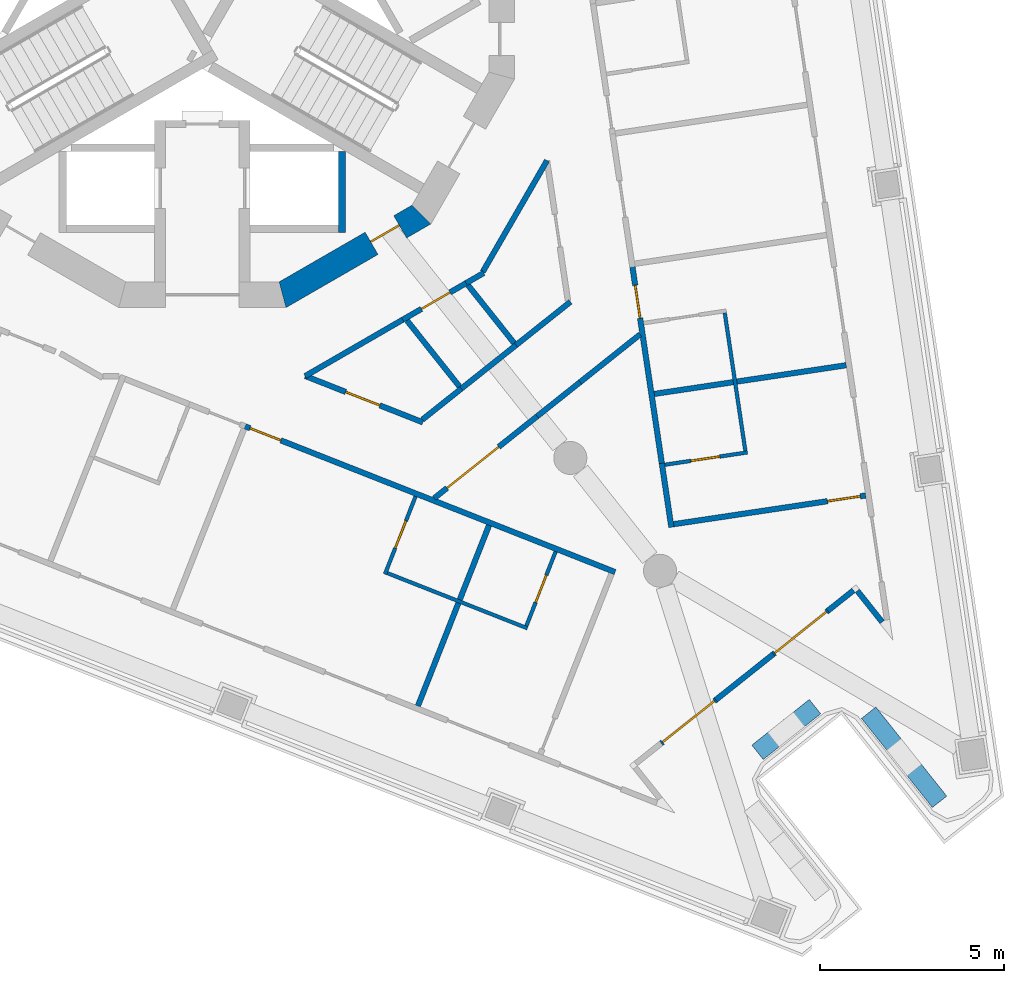
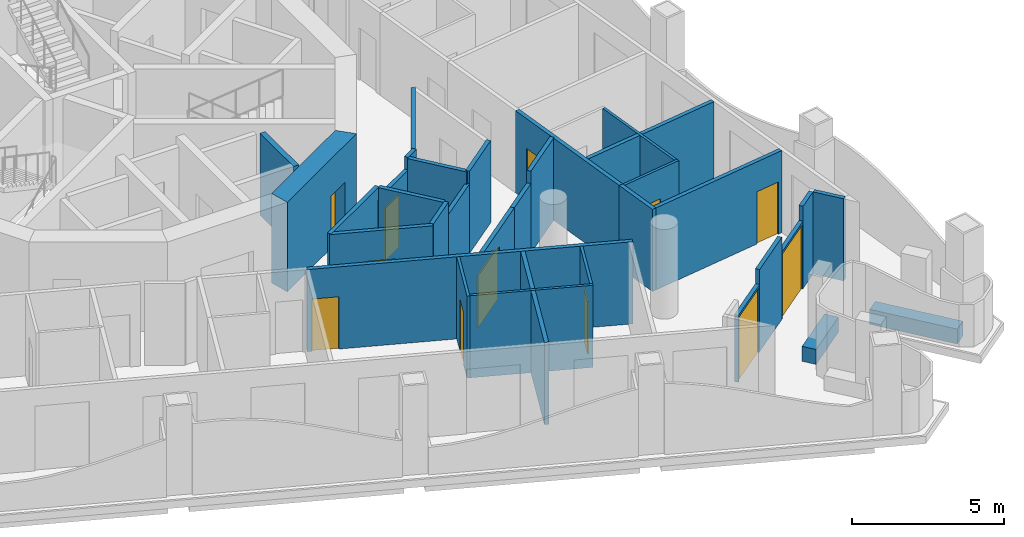
# One storey, part 5 of 17: 34 walls, 12 doors, 12 openings.
"""IFC4 building model written with IfcOpenShell, lengths in metres."""

import ifcopenshell
import ifcopenshell.guid

model = None  # the IFC model being written
_history = None  # IfcOwnerHistory: only IFC2X3 demands one
_inside = {}  # id of a spatial element -> (the spatial element, [elements in it])
_under = {}  # id of a project, library or spatial element -> (it, [spatial elements below it])
_declared = {}  # id of a project -> (the project, [libraries it declares])
_typed = {}  # id of a type object -> (the type object, [elements of that type])
_made_of = {}  # id of a material, layer set ... -> (it, [elements and type objects made of it])


def new_model(schema):
    """Start an empty IFC model of exactly this schema.

    Asked for "IFC4X3", IfcOpenShell would pick the latest addendum, in which some entities
    have other attributes; the version numbers below select the first issue.
    IFC2X3 requires an IfcOwnerHistory on every rooted entity: one is made here for all.
    """
    global model, _history
    if schema == "IFC4X3":
        model = ifcopenshell.file(schema_version=(4, 3, 0, 0))
    else:
        model = ifcopenshell.file(schema=schema)
    _inside.clear()
    _under.clear()
    _declared.clear()
    _typed.clear()
    _made_of.clear()
    _history = None
    if model.schema == "IFC2X3":
        org = make("IfcOrganization", Name="unknown")
        user = make(
            "IfcPersonAndOrganization",
            ThePerson=make("IfcPerson", FamilyName="unknown"),
            TheOrganization=org,
        )
        app = make(
            "IfcApplication",
            ApplicationDeveloper=org,
            Version="unknown",
            ApplicationFullName="unknown",
            ApplicationIdentifier="unknown",
        )
        _history = make(
            "IfcOwnerHistory",
            OwningUser=user,
            OwningApplication=app,
            ChangeAction="ADDED",
            CreationDate=0,
        )
    return model


def make(cls, **values):
    """One entity of the class cls with the attributes given. An attribute that is None is left unset."""
    return model.create_entity(
        cls, **{name: value for name, value in values.items() if value is not None}
    )


def rooted(cls, **values):
    """An entity with a GlobalId (a new one), such as an element, a storey or a relation."""
    return make(cls, GlobalId=ifcopenshell.guid.new(), OwnerHistory=_history, **values)


def si_unit(unit_type, name, prefix=None):
    """IfcSIUnit, for example si_unit("LENGTHUNIT", "METRE", prefix="MILLI")."""
    return make("IfcSIUnit", UnitType=unit_type, Prefix=prefix, Name=name)


def assignment(units):
    """IfcUnitAssignment: the units of a project."""
    return None if units is None else make("IfcUnitAssignment", Units=units)


def point(xyz):
    """IfcCartesianPoint."""
    return None if xyz is None else make("IfcCartesianPoint", Coordinates=xyz)


def direction(xyz):
    """IfcDirection."""
    return None if xyz is None else make("IfcDirection", DirectionRatios=xyz)


def frame(location, z_axis=None, x_axis=None):
    """IfcAxis2Placement3D, a coordinate frame: its origin and axes. An axis left out is left unset."""
    return make(
        "IfcAxis2Placement3D",
        Location=point(location),
        Axis=direction(z_axis),
        RefDirection=direction(x_axis),
    )


def frame_2d(location, x_axis=None):
    """IfcAxis2Placement2D, a coordinate frame in the plane: its origin and x axis."""
    return make(
        "IfcAxis2Placement2D", Location=point(location), RefDirection=direction(x_axis)
    )


def origin():
    """The frame at (0, 0, 0) with its axes left unset."""
    return frame((0.0, 0.0, 0.0))


def place(relative_to, where):
    """IfcLocalPlacement: puts the frame where relative to a parent placement (None: the world)."""
    return make(
        "IfcLocalPlacement", PlacementRelTo=relative_to, RelativePlacement=where
    )


def context(
    kind, dimensions, precision=None, world=None, true_north=None, identifier=None
):
    """IfcGeometricRepresentationContext, for example the 3D "Model" context."""
    return make(
        "IfcGeometricRepresentationContext",
        ContextIdentifier=identifier,
        ContextType=kind,
        CoordinateSpaceDimension=dimensions,
        Precision=precision,
        WorldCoordinateSystem=world,
        TrueNorth=true_north,
    )


def subcontext(parent, identifier, kind, view, scale=None):
    """IfcGeometricRepresentationSubContext, for example "Body" below "Model"."""
    return make(
        "IfcGeometricRepresentationSubContext",
        ContextIdentifier=identifier,
        ContextType=kind,
        ParentContext=parent,
        TargetScale=scale,
        TargetView=view,
    )


def project(units=None, contexts=None):
    """IfcProject with its units and contexts."""
    return rooted(
        "IfcProject",
        Name="project",
        RepresentationContexts=contexts,
        UnitsInContext=assignment(units),
    )


def spatial(cls, under=None, at=None, **own):
    """A site, building, storey or space (cls), placed at a placement, below another one or the project."""
    s = rooted(cls, ObjectPlacement=at, **own)
    if under is not None:
        _under.setdefault(under.id(), (under, []))[1].append(s)
    return s


def polyline(points):
    """IfcPolyline through the points."""
    return make("IfcPolyline", Points=[point(p) for p in points])


def profile(cls, at=None, kind="AREA", **sizes):
    """A parametric profile (cls). Its sizes go by their IFC names, for example OverallWidth=200.0."""
    return make(cls, ProfileType=kind, Position=at, **sizes)


def rectangle(**sizes):
    """IfcRectangleProfileDef."""
    return profile("IfcRectangleProfileDef", **sizes)


def outline(outer, holes=None, kind="AREA"):
    """IfcArbitraryClosedProfileDef: a profile drawn as a closed curve; with holes, ...WithVoids."""
    if holes is None:
        return make("IfcArbitraryClosedProfileDef", ProfileType=kind, OuterCurve=outer)
    return make(
        "IfcArbitraryProfileDefWithVoids",
        ProfileType=kind,
        OuterCurve=outer,
        InnerCurves=holes,
    )


def extrude(swept, where, along, depth):
    """IfcExtrudedAreaSolid: the profile swept, set in the frame where, extruded along a direction by depth."""
    return make(
        "IfcExtrudedAreaSolid",
        SweptArea=swept,
        Position=where,
        ExtrudedDirection=direction(along),
        Depth=depth,
    )


def shape(context_of_items, identifier, shape_type, items):
    """IfcShapeRepresentation: the items that make up one representation, for example the "Body"."""
    return make(
        "IfcShapeRepresentation",
        ContextOfItems=context_of_items,
        RepresentationIdentifier=identifier,
        RepresentationType=shape_type,
        Items=items,
    )


def material(Name=None, Category=None):
    """IfcMaterial."""
    return make("IfcMaterial", Name=Name, Category=Category)


def layer(
    of_material, thickness, ventilated=None, Name=None, Category=None, Priority=None
):
    """IfcMaterialLayer: one layer of a wall or slab, of a material (None: an air gap)."""
    return make(
        "IfcMaterialLayer",
        Material=of_material,
        LayerThickness=thickness,
        IsVentilated=ventilated,
        Name=Name,
        Category=Category,
        Priority=Priority,
    )


def layer_set(layers, Name=None):
    """IfcMaterialLayerSet."""
    return make("IfcMaterialLayerSet", MaterialLayers=layers, LayerSetName=Name)


def made_of(thing, what):
    """Note that an element or type object is made of a material, layer set ...; save() writes the relation."""
    if what is not None:
        _made_of.setdefault(what.id(), (what, []))[1].append(thing)
    return thing


def type_object(cls, material=None, **own):
    """A type object (cls), such as IfcWallType, which elements share."""
    return made_of(rooted(cls, **own), material)


def element(
    cls,
    number,
    at=None,
    inside=None,
    cuts=None,
    type_object=None,
    material=None,
    context=None,
    identifier="Body",
    shape_type=None,
    held_by="IfcProductDefinitionShape",
    body=None,
    shapes=None,
    **own,
):
    """One element of the class cls, such as IfcWall. Its Tag is "e" and its number.

    at: its placement. inside: the storey or other place that contains it. cuts: it is an
    opening in that element (IfcRelVoidsElement). A single representation is given by context,
    identifier, shape_type and body (its items); several are given by shapes. held_by: the class
    of the entity that holds the representations. save() writes the other relations.
    """
    e = rooted(cls, Tag="e%d" % number, ObjectPlacement=at, **own)
    if body is not None:
        shapes = [shape(context, identifier, shape_type, body)]
    if shapes is not None:
        e.Representation = make(held_by, Representations=shapes)
    if inside is not None:
        _inside.setdefault(inside.id(), (inside, []))[1].append(e)
    if cuts is not None:
        rooted(
            "IfcRelVoidsElement", RelatingBuildingElement=cuts, RelatedOpeningElement=e
        )
    if type_object is not None:
        _typed.setdefault(type_object.id(), (type_object, []))[1].append(e)
    return made_of(e, material)


def fill(opening, filler):
    """IfcRelFillsElement: the door or window that sits in an opening."""
    return rooted(
        "IfcRelFillsElement",
        RelatingOpeningElement=opening,
        RelatedBuildingElement=filler,
    )


def aggregate(whole, parts):
    """IfcRelAggregates: a whole, such as a stair, and the parts it consists of."""
    return rooted("IfcRelAggregates", RelatingObject=whole, RelatedObjects=parts)


def save(model, path):
    """Write the relations noted so far, then the file.

    IfcRelAggregates (storeys below a building ...), IfcRelContainedInSpatialStructure (elements
    in a storey), IfcRelDefinesByType, IfcRelAssociatesMaterial and IfcRelDeclares: one each for
    every whole, place, type object, material and project.
    """
    for whole, parts in _under.values():
        aggregate(whole, parts)
    for where, things in _inside.values():
        rooted(
            "IfcRelContainedInSpatialStructure",
            RelatedElements=things,
            RelatingStructure=where,
        )
    for kind, things in _typed.values():
        rooted("IfcRelDefinesByType", RelatedObjects=things, RelatingType=kind)
    for what, things in _made_of.values():
        rooted("IfcRelAssociatesMaterial", RelatedObjects=things, RelatingMaterial=what)
    for by, libraries in _declared.values():
        rooted("IfcRelDeclares", RelatingContext=by, RelatedDefinitions=libraries)
    model.write(path)


model = new_model("IFC4")

# Units and contexts
model_context = context("Model", 3, precision=1e-05, world=origin(), true_north=direction((0.0, 1.0)))
body_context = subcontext(model_context, "Body", "Model", "MODEL_VIEW")
ifc_project = project(units=[si_unit("LENGTHUNIT", "METRE"), si_unit("AREAUNIT", "SQUARE_METRE"), si_unit("VOLUMEUNIT", "CUBIC_METRE"), si_unit("PLANEANGLEUNIT", "RADIAN"), si_unit("MASSUNIT", "GRAM", prefix="KILO")], contexts=[model_context])

# Site, building, storey
site_placement = place(None, origin())
site = spatial("IfcSite", under=ifc_project, at=site_placement, CompositionType="ELEMENT")
building_placement = place(site_placement, origin())
building = spatial("IfcBuilding", under=site, at=building_placement, Name="Trine Commons Tower", CompositionType="ELEMENT")
storey_placement = place(building_placement, frame((0.0, 0.0, 208.800048828125)))
storey = spatial("IfcBuildingStorey", under=building, at=storey_placement, Name="L54", CompositionType="ELEMENT", Elevation=208.800048828125)

# Walls
ifc_material_1 = material(Name="Aluminium-framed insulated wall panel", Category="aluminium")
ifc_layer_1 = layer(ifc_material_1, 0.14990234375)
ifc_layer_set_1 = layer_set([ifc_layer_1], Name="Aluminium-framed insulated wall panel")
wall_type_1 = type_object("IfcWallType", Name="Glazed frame wall 150, EI 60", PredefinedType="SOLIDWALL", material=ifc_layer_set_1)
wall_1_placement = place(storey_placement, frame((98.603759765625, 45.320556640625, 0.0), z_axis=(0.0, 0.0, 1.0), x_axis=(-0.6225008228, 0.782619144676, 0.0)))
element("IfcWall", 1, at=wall_1_placement, inside=storey, type_object=wall_type_1, Name="Glazed frame wall R6", PredefinedType="SOLIDWALL", context=body_context, shape_type="SweptSolid", body=[
    extrude(outline(polyline([(0.1494140625, 0.074951171875), (0.1494140625, -0.074951171875), (1.235107421875, -0.074951171875), (1.235107421875, 0.074951171875), (0.1494140625, 0.074951171875)])), origin(), (0.0, 0.0, 1.0), 3.300048828125),
])
wall_2_placement = place(storey_placement, frame((97.815673828125, 46.367431640625, 0.0), z_axis=(0.0, 0.0, 1.0), x_axis=(-0.78265242488, -0.622458980037, 0.0)))
element("IfcWall", 2, at=wall_2_placement, inside=storey, type_object=wall_type_1, Name="Glazed frame wall P2.1", PredefinedType="SOLIDWALL", context=body_context, shape_type="SweptSolid", body=[
    extrude(outline(polyline([(0.110107421875, -0.074951171875), (1.0, -0.074951171875), (1.0, 0.074951171875), (0.110107421875, 0.074951171875), (0.110107421875, -0.074951171875)])), origin(), (0.0, 0.0, 1.0), 3.300048828125),
])

# Wall, opening, door
wall_3_placement = place(storey_placement, frame((97.033203125, 45.7451171875, 0.0), z_axis=(0.0, 0.0, 1.0), x_axis=(-0.782608167395, -0.622514623384, 0.0)))
wall_3 = element("IfcWall", 3, at=wall_3_placement, inside=storey, type_object=wall_type_1, Name="Glazed frame wall P2.2", PredefinedType="SOLIDWALL", context=body_context, shape_type="SweptSolid", body=[
    extrude(outline(polyline([(0.0, -0.074951171875), (1.89990234375, -0.074951171875), (1.89990234375, 0.074951171875), (0.0, 0.074951171875), (0.0, -0.074951171875)])), origin(), (0.0, 0.0, 1.0), 2.699951171875),
])
opening_1_placement = place(wall_3_placement, frame((0.050048828125, 0.0, 0.0)))
opening_1 = element("IfcOpeningElement", 4, at=opening_1_placement, cuts=wall_3, Name="Opening BD-6P2-01", PredefinedType="OPENING", context=body_context, shape_type="SweptSolid", body=[
    extrude(rectangle(XDim=1.800048828125, YDim=2.60009765625, at=frame_2d((0.89990234375, 1.300048828125))), frame((0.0, 0.0849609375, 0.0), z_axis=(0.0, -1.0, 0.0), x_axis=(1.0, 0.0, 0.0)), (0.0, 0.0, 1.0), 0.169921875),
])
ifc_material_2 = material(Name="Anodised aluminium frame with double glazing", Category="aluminium")
door_type_1 = type_object("IfcDoorType", Name="Sliding loggia door 1800x2600", OperationType="SLIDING_TO_LEFT", PredefinedType="DOOR", material=ifc_material_2)
door_1_placement = place(opening_1_placement, origin())
door_1 = element("IfcDoor", 5, at=door_1_placement, inside=storey, type_object=door_type_1, Name="Loggia door P2 1", OperationType="SLIDING_TO_LEFT", OverallHeight=2.60009765625, OverallWidth=1.800048828125, PredefinedType="DOOR", context=body_context, shape_type="SweptSolid", body=[
    extrude(rectangle(XDim=1.800048828125, YDim=2.60009765625, at=frame_2d((0.89990234375, 1.300048828125))), frame((0.0, 0.02490234375, 0.0), z_axis=(0.0, -1.0, 0.0), x_axis=(1.0, 0.0, 0.0)), (0.0, 0.0, 1.0), 0.050048828125),
])
fill(opening_1, door_1)

# Wall
wall_4_placement = place(storey_placement, frame((95.546142578125, 44.562255859375, 0.0), z_axis=(0.0, 0.0, 1.0), x_axis=(-0.782580779818, -0.622549052733, 0.0)))
element("IfcWall", 6, at=wall_4_placement, inside=storey, type_object=wall_type_1, Name="Glazed frame wall P2.3", PredefinedType="SOLIDWALL", context=body_context, shape_type="SweptSolid", body=[
    extrude(outline(polyline([(0.0, -0.074951171875), (2.0, -0.074951171875), (2.0, 0.074951171875), (0.0, 0.074951171875), (0.0, -0.074951171875)])), origin(), (0.0, 0.0, 1.0), 3.300048828125),
])

# Wall, opening, door
wall_5_placement = place(storey_placement, frame((93.98095703125, 43.317138671875, 0.0), z_axis=(0.0, 0.0, 1.0), x_axis=(-0.782670764896, -0.622435919415, 0.0)))
wall_5 = element("IfcWall", 7, at=wall_5_placement, inside=storey, type_object=wall_type_1, Name="Glazed frame wall P2.4", PredefinedType="SOLIDWALL", context=body_context, shape_type="SweptSolid", body=[
    extrude(outline(polyline([(0.0, -0.074951171875), (1.89990234375, -0.074951171875), (1.89990234375, 0.074951171875), (0.0, 0.074951171875), (0.0, -0.074951171875)])), origin(), (0.0, 0.0, 1.0), 2.699951171875),
])
opening_2_placement = place(wall_5_placement, frame((0.050048828125, 0.0, 0.0)))
opening_2 = element("IfcOpeningElement", 8, at=opening_2_placement, cuts=wall_5, Name="Opening BD-6P2-02", PredefinedType="OPENING", context=body_context, shape_type="SweptSolid", body=[
    extrude(rectangle(XDim=1.800048828125, YDim=2.60009765625, at=frame_2d((0.89990234375, 1.300048828125))), frame((0.0, 0.0849609375, 0.0), z_axis=(0.0, -1.0, 0.0), x_axis=(1.0, 0.0, 0.0)), (0.0, 0.0, 1.0), 0.169921875),
])
door_2_placement = place(opening_2_placement, origin())
door_2 = element("IfcDoor", 9, at=door_2_placement, inside=storey, type_object=door_type_1, Name="Loggia door P2 2", OperationType="SLIDING_TO_LEFT", OverallHeight=2.60009765625, OverallWidth=1.800048828125, PredefinedType="DOOR", context=body_context, shape_type="SweptSolid", body=[
    extrude(rectangle(XDim=1.800048828125, YDim=2.60009765625, at=frame_2d((0.89990234375, 1.300048828125))), frame((0.0, 0.02490234375, 0.0), z_axis=(0.0, -1.0, 0.0), x_axis=(1.0, 0.0, 0.0)), (0.0, 0.0, 1.0), 0.050048828125),
])
fill(opening_2, door_2)

# Walls
ifc_material_3 = material(Name="Planter trough, precast concrete C40/50", Category="concrete")
ifc_layer_2 = layer(ifc_material_3, 0.5)
ifc_layer_set_2 = layer_set([ifc_layer_2], Name="Planter trough, precast concrete C40/50")
wall_type_2 = type_object("IfcWallType", Name="Planter trough 500x600", PredefinedType="PARAPET", material=ifc_layer_set_2)
wall_6_placement = place(storey_placement, frame((100.0732421875, 40.54150390625, 0.0), z_axis=(0.0, 0.0, 1.0), x_axis=(-0.622502736232, 0.782617622715, 0.0)))
element("IfcWall", 10, at=wall_6_placement, inside=storey, type_object=wall_type_2, Name="Planter 7", PredefinedType="PARAPET", context=body_context, shape_type="SweptSolid", body=[
    extrude(rectangle(XDim=3.099853515625, YDim=0.5, at=frame_2d((1.5498046875, 0.0))), origin(), (0.0, 0.0, 1.0), 0.599853515625),
])
wall_7_placement = place(storey_placement, frame((96.68212890625, 43.134033203125, 0.0), z_axis=(0.0, 0.0, 1.0), x_axis=(-0.782580779818, -0.622549052733, 0.0)))
element("IfcWall", 11, at=wall_7_placement, inside=storey, type_object=wall_type_2, Name="Planter 8", PredefinedType="PARAPET", context=body_context, shape_type="SweptSolid", body=[
    extrude(rectangle(XDim=2.0, YDim=0.5, at=frame_2d((1.0, 0.0))), origin(), (0.0, 0.0, 1.0), 0.599853515625),
])

# Wall, opening, door
ifc_material_4 = material(Name="Concrete C60/75", Category="concrete")
ifc_layer_3 = layer(ifc_material_4, 0.699951171875)
ifc_layer_set_3 = layer_set([ifc_layer_3], Name="Concrete C60/75")
wall_type_3 = type_object("IfcWallType", Name="RC shear wall 700 mm, C60/75", PredefinedType="SHEAR", material=ifc_layer_set_3)
wall_8_placement = place(storey_placement, frame((82.1025390625, 54.302978515625, 0.0), z_axis=(0.0, 0.0, 1.0), x_axis=(0.866034756103, 0.499983800959, 0.0)))
wall_8 = element("IfcWall", 12, at=wall_8_placement, inside=storey, type_object=wall_type_3, Name="Core wall CWF-11 L54", PredefinedType="SHEAR", context=body_context, shape_type="SweptSolid", body=[
    extrude(outline(polyline([(0.0, -0.35009765625), (4.55517578125, -0.35009765625), (4.36767578125, 0.35009765625), (0.1875, 0.35009765625), (0.0, -0.35009765625)])), origin(), (0.0, 0.0, 1.0), 3.599853515625),
])
opening_3_placement = place(wall_8_placement, frame((2.891845703125, 0.0, 0.0)))
opening_3 = element("IfcOpeningElement", 13, at=opening_3_placement, cuts=wall_8, Name="Opening K16.16", PredefinedType="OPENING", context=body_context, shape_type="SweptSolid", body=[
    extrude(rectangle(XDim=0.89990234375, YDim=2.10009765625, at=frame_2d((0.449951171875, 1.050048828125))), frame((0.0, 0.35986328125, 0.0), z_axis=(0.0, -1.0, 0.0), x_axis=(1.0, 0.0, 0.0)), (0.0, 0.0, 1.0), 0.719970703125),
])
ifc_material_5 = material(Name="Steel door leaf, fire-rated", Category="steel")
door_type_2 = type_object("IfcDoorType", Name="Core room door, single leaf 900 x 2100, FD30S", OperationType="SINGLE_SWING_LEFT", PredefinedType="DOOR", material=ifc_material_5)
door_3_placement = place(opening_3_placement, origin())
door_3 = element("IfcDoor", 14, at=door_3_placement, inside=storey, type_object=door_type_2, Name="Door to Core WC L54", OperationType="SINGLE_SWING_RIGHT", OverallHeight=2.10009765625, OverallWidth=0.89990234375, PredefinedType="DOOR", context=body_context, shape_type="SweptSolid", body=[
    extrude(rectangle(XDim=0.89990234375, YDim=2.10009765625, at=frame_2d((0.449951171875, 1.050048828125))), frame((0.0, 0.0751953125, 0.0), z_axis=(0.0, -1.0, 0.0), x_axis=(1.0, 0.0, 0.0)), (0.0, 0.0, 1.0), 0.050048828125),
])
fill(opening_3, door_3)

# Wall
ifc_material_6 = material(Name="Fire-rated gypsum shaft wall system")
ifc_layer_4 = layer(ifc_material_6, 0.199951171875)
ifc_layer_set_4 = layer_set([ifc_layer_4], Name="Fire-rated gypsum shaft wall system")
wall_type_4 = type_object("IfcWallType", Name="Shaft wall 200 mm, EI 120", PredefinedType="PARTITIONING", material=ifc_layer_set_4)
wall_9_placement = place(storey_placement, frame((83.800048828125, 58.257080078125, 0.0), z_axis=(0.0, 0.0, 1.0), x_axis=(0.0, -1.0, 0.0)))
element("IfcWall", 15, at=wall_9_placement, inside=storey, type_object=wall_type_4, Name="Shaft wall L54", PredefinedType="PARTITIONING", context=body_context, shape_type="SweptSolid", body=[
    extrude(rectangle(XDim=2.20703125, YDim=0.199951171875, at=frame_2d((1.103515625, 0.0))), origin(), (0.0, 0.0, 1.0), 3.300048828125),
])

# Wall, opening, door
ifc_material_7 = material(Name="Gypsum plasterboard on steel stud", Category="steel")
ifc_layer_5 = layer(ifc_material_7, 0.14990234375)
ifc_layer_set_5 = layer_set([ifc_layer_5], Name="Gypsum plasterboard on steel stud")
wall_type_5 = type_object("IfcWallType", Name="Unit and corridor wall 150 mm, EI 60", PredefinedType="PARTITIONING", material=ifc_layer_set_5)
wall_10_placement = place(storey_placement, frame((81.156982421875, 50.77001953125, 0.0), z_axis=(0.0, 0.0, 1.0), x_axis=(0.930383245672, -0.366588347023, 0.0)))
wall_10 = element("IfcWall", 16, at=wall_10_placement, inside=storey, type_object=wall_type_5, Name="Partition 071", PredefinedType="PARTITIONING", context=body_context, shape_type="SweptSolid", body=[
    extrude(rectangle(XDim=10.836181640625, YDim=0.14990234375, at=frame_2d((5.41796875, 0.0))), origin(), (0.0, 0.0, 1.0), 3.300048828125),
])
opening_4_placement = place(wall_10_placement, frame((0.153564453125, 0.0, 0.0)))
opening_4 = element("IfcOpeningElement", 17, at=opening_4_placement, cuts=wall_10, Name="Opening D-6B22", PredefinedType="OPENING", context=body_context, shape_type="SweptSolid", body=[
    extrude(rectangle(XDim=0.89990234375, YDim=2.10009765625, at=frame_2d((0.449951171875, 1.050048828125))), frame((0.0, 0.0849609375, 0.0), z_axis=(0.0, -1.0, 0.0), x_axis=(1.0, 0.0, 0.0)), (0.0, 0.0, 1.0), 0.169921875),
])
ifc_material_8 = material(Name="Timber fire door set", Category="wood")
door_type_3 = type_object("IfcDoorType", Name="Bedroom door 900 x 2100, FD30S", OperationType="NOTDEFINED", PredefinedType="DOOR", material=ifc_material_8)
door_4_placement = place(opening_4_placement, frame((0.89990234375, 0.0, 0.0), z_axis=(0.0, 0.0, 1.0), x_axis=(-1.0, 0.0, 0.0)))
door_4 = element("IfcDoor", 18, at=door_4_placement, inside=storey, type_object=door_type_3, Name="Door D-6B22", OperationType="SINGLE_SWING_RIGHT", OverallHeight=2.10009765625, OverallWidth=0.89990234375, PredefinedType="DOOR", context=body_context, shape_type="SweptSolid", body=[
    extrude(rectangle(XDim=0.89990234375, YDim=2.10009765625, at=frame_2d((0.449951171875, 1.050048828125))), frame((0.0, 0.02490234375, 0.0), z_axis=(0.0, -1.0, 0.0), x_axis=(1.0, 0.0, 0.0)), (0.0, 0.0, 1.0), 0.050048828125),
])
fill(opening_4, door_4)

# Wall
wall_11_placement = place(storey_placement, frame((82.798095703125, 52.135009765625, 0.0), z_axis=(0.0, 0.0, 1.0), x_axis=(0.865882230694, 0.500247901113, 0.0)))
element("IfcWall", 19, at=wall_11_placement, inside=storey, type_object=wall_type_5, Name="Partition 078", PredefinedType="PARTITIONING", context=body_context, shape_type="SweptSolid", body=[
    extrude(rectangle(XDim=3.150390625, YDim=0.14990234375, at=frame_2d((1.5751953125, 0.0))), origin(), (0.0, 0.0, 1.0), 3.300048828125),
])

# Wall, opening, door
wall_12_placement = place(storey_placement, frame((82.801025390625, 52.136962890625, 0.0), z_axis=(0.0, 0.0, 1.0), x_axis=(0.930387129981, -0.366578488685, 0.0)))
wall_12 = element("IfcWall", 20, at=wall_12_placement, inside=storey, type_object=wall_type_5, Name="Partition 079", PredefinedType="PARTITIONING", context=body_context, shape_type="SweptSolid", body=[
    extrude(rectangle(XDim=3.441162109375, YDim=0.14990234375, at=frame_2d((1.720703125, 0.0))), origin(), (0.0, 0.0, 1.0), 3.300048828125),
])
opening_5_placement = place(wall_12_placement, frame((1.18310546875, 0.0, 0.0)))
opening_5 = element("IfcOpeningElement", 21, at=opening_5_placement, cuts=wall_12, Name="Opening D-6B32", PredefinedType="OPENING", context=body_context, shape_type="SweptSolid", body=[
    extrude(rectangle(XDim=1.0, YDim=2.10009765625, at=frame_2d((0.5, 1.050048828125))), frame((0.0, 0.0849609375, 0.0), z_axis=(0.0, -1.0, 0.0), x_axis=(1.0, 0.0, 0.0)), (0.0, 0.0, 1.0), 0.169921875),
])
ifc_material_9 = material(Name="Painted timber", Category="wood")
door_type_4 = type_object("IfcDoorType", Name="Toilet door 1000 x 2100, NOT RATED", OperationType="NOTDEFINED", PredefinedType="DOOR", material=ifc_material_9)
door_5_placement = place(opening_5_placement, origin())
door_5 = element("IfcDoor", 22, at=door_5_placement, inside=storey, type_object=door_type_4, Name="Door D-6B32", OperationType="SINGLE_SWING_LEFT", OverallHeight=2.10009765625, OverallWidth=1.0, PredefinedType="DOOR", context=body_context, shape_type="SweptSolid", body=[
    extrude(rectangle(XDim=1.0, YDim=2.10009765625, at=frame_2d((0.5, 1.050048828125))), frame((0.0, 0.02490234375, 0.0), z_axis=(0.0, -1.0, 0.0), x_axis=(1.0, 0.0, 0.0)), (0.0, 0.0, 1.0), 0.050048828125),
])
fill(opening_5, door_5)

wall_13_placement = place(storey_placement, frame((85.455078125, 53.66943359375, 0.0), z_axis=(0.0, 0.0, 1.0), x_axis=(0.866036909293, 0.499980071345, 0.0)))
wall_13 = element("IfcWall", 23, at=wall_13_placement, inside=storey, type_object=wall_type_5, Name="Partition 093", PredefinedType="PARTITIONING", context=body_context, shape_type="SweptSolid", body=[
    extrude(rectangle(XDim=2.078125, YDim=0.14990234375, at=frame_2d((1.0390625, 0.0))), origin(), (0.0, 0.0, 1.0), 2.800048828125),
])
opening_6_placement = place(wall_13_placement, frame((0.589111328125, 0.0, 0.0)))
opening_6 = element("IfcOpeningElement", 24, at=opening_6_placement, cuts=wall_13, Name="Opening D-6B33", PredefinedType="OPENING", context=body_context, shape_type="SweptSolid", body=[
    extrude(rectangle(XDim=0.89990234375, YDim=2.10009765625, at=frame_2d((0.449951171875, 1.050048828125))), frame((0.0, 0.0849609375, 0.0), z_axis=(0.0, -1.0, 0.0), x_axis=(1.0, 0.0, 0.0)), (0.0, 0.0, 1.0), 0.169921875),
])
door_type_5 = type_object("IfcDoorType", Name="Service door 900 x 2100, FD30S", OperationType="NOTDEFINED", PredefinedType="DOOR", material=ifc_material_8)
door_6_placement = place(opening_6_placement, frame((0.89990234375, 0.0, 0.0), z_axis=(0.0, 0.0, 1.0), x_axis=(-1.0, 0.0, 0.0)))
door_6 = element("IfcDoor", 25, at=door_6_placement, inside=storey, type_object=door_type_5, Name="Door D-6B33", OperationType="SINGLE_SWING_RIGHT", OverallHeight=2.10009765625, OverallWidth=0.89990234375, PredefinedType="DOOR", context=body_context, shape_type="SweptSolid", body=[
    extrude(rectangle(XDim=0.89990234375, YDim=2.10009765625, at=frame_2d((0.449951171875, 1.050048828125))), frame((0.0, 0.02490234375, 0.0), z_axis=(0.0, -1.0, 0.0), x_axis=(1.0, 0.0, 0.0)), (0.0, 0.0, 1.0), 0.050048828125),
])
fill(opening_6, door_6)

# Walls
wall_14_placement = place(storey_placement, frame((85.569580078125, 53.650390625, 0.0), z_axis=(0.0, 0.0, 1.0), x_axis=(0.622570822847, -0.78256346103, 0.0)))
element("IfcWall", 26, at=wall_14_placement, inside=storey, type_object=wall_type_5, Name="Partition 094", PredefinedType="PARTITIONING", context=body_context, shape_type="SweptSolid", body=[
    extrude(rectangle(XDim=2.301025390625, YDim=0.14990234375, at=frame_2d((1.150390625, 0.0))), origin(), (0.0, 0.0, 1.0), 3.300048828125),
])
wall_15_placement = place(storey_placement, frame((85.86865234375, 43.152099609375, 0.0), z_axis=(0.0, 0.0, 1.0), x_axis=(0.366408201445, 0.930454206242, 0.0)))
element("IfcWall", 27, at=wall_15_placement, inside=storey, type_object=wall_type_5, Name="Partition 095", PredefinedType="PARTITIONING", context=body_context, shape_type="SweptSolid", body=[
    extrude(rectangle(XDim=5.285888671875, YDim=0.14990234375, at=frame_2d((2.64306640625, 0.0))), origin(), (0.0, 0.0, 1.0), 3.300048828125),
])
wall_16_placement = place(storey_placement, frame((85.99169921875, 50.94970703125, 0.0), z_axis=(0.0, 0.0, 1.0), x_axis=(0.7826589169, 0.622450817171, 0.0)))
element("IfcWall", 28, at=wall_16_placement, inside=storey, type_object=wall_type_5, Name="Partition 096", PredefinedType="PARTITIONING", context=body_context, shape_type="SweptSolid", body=[
    extrude(rectangle(XDim=1.354736328125, YDim=0.14990234375, at=frame_2d((0.67724609375, 0.0))), origin(), (0.0, 0.0, 1.0), 3.300048828125),
])

# Wall, opening, door
wall_17_placement = place(storey_placement, frame((86.311767578125, 48.80859375, 0.0), z_axis=(0.0, 0.0, 1.0), x_axis=(0.782487894098, 0.622665797672, 0.0)))
wall_17 = element("IfcWall", 29, at=wall_17_placement, inside=storey, type_object=wall_type_5, Name="Partition 097", PredefinedType="PARTITIONING", context=body_context, shape_type="SweptSolid", body=[
    extrude(rectangle(XDim=3.583740234375, YDim=0.14990234375, at=frame_2d((1.7919921875, 0.0))), origin(), (0.0, 0.0, 1.0), 2.800048828125),
])
opening_7_placement = place(wall_17_placement, frame((0.44677734375, 0.0, 0.0)))
opening_7 = element("IfcOpeningElement", 30, at=opening_7_placement, cuts=wall_17, Name="Opening D-6B02", PredefinedType="OPENING", context=body_context, shape_type="SweptSolid", body=[
    extrude(rectangle(XDim=1.800048828125, YDim=2.10009765625, at=frame_2d((0.89990234375, 1.050048828125))), frame((0.0, 0.0849609375, 0.0), z_axis=(0.0, -1.0, 0.0), x_axis=(1.0, 0.0, 0.0)), (0.0, 0.0, 1.0), 0.169921875),
])
door_type_6 = type_object("IfcDoorType", Name="Cluster entrance door 1800 x 2100, double leaf, FD30S", OperationType="DOUBLE_DOOR_DOUBLE_SWING", PredefinedType="DOOR", material=ifc_material_8)
door_7_placement = place(opening_7_placement, frame((1.800048828125, 0.0, 0.0), z_axis=(0.0, 0.0, 1.0), x_axis=(-1.0, 0.0, 0.0)))
door_7 = element("IfcDoor", 31, at=door_7_placement, inside=storey, type_object=door_type_6, Name="Door D-6B02", OperationType="DOUBLE_DOOR_DOUBLE_SWING", OverallHeight=2.10009765625, OverallWidth=1.800048828125, PredefinedType="DOOR", context=body_context, shape_type="SweptSolid", body=[
    extrude(rectangle(XDim=1.800048828125, YDim=2.10009765625, at=frame_2d((0.89990234375, 1.050048828125))), frame((0.0, 0.02490234375, 0.0), z_axis=(0.0, -1.0, 0.0), x_axis=(1.0, 0.0, 0.0)), (0.0, 0.0, 1.0), 0.050048828125),
])
fill(opening_7, door_7)

# Walls
wall_18_placement = place(storey_placement, frame((87.0458984375, 51.7890625, 0.0), z_axis=(0.0, 0.0, 1.0), x_axis=(0.782788084562, 0.622288369382, 0.0)))
element("IfcWall", 32, at=wall_18_placement, inside=storey, type_object=wall_type_5, Name="Partition 099", PredefinedType="PARTITIONING", context=body_context, shape_type="SweptSolid", body=[
    extrude(rectangle(XDim=1.907470703125, YDim=0.14990234375, at=frame_2d((0.95361328125, 0.0))), origin(), (0.0, 0.0, 1.0), 2.800048828125),
])
wall_19_placement = place(storey_placement, frame((87.18408203125, 54.6669921875, 0.0), z_axis=(0.0, 0.0, 1.0), x_axis=(0.86530467385, 0.501246268228, 0.0)))
element("IfcWall", 33, at=wall_19_placement, inside=storey, type_object=wall_type_5, Name="Partition 101", PredefinedType="PARTITIONING", context=body_context, shape_type="SweptSolid", body=[
    extrude(rectangle(XDim=0.5498046875, YDim=0.14990234375, at=frame_2d((0.27490234375, 0.0))), origin(), (0.0, 0.0, 1.0), 3.300048828125),
])
wall_20_placement = place(storey_placement, frame((87.233642578125, 54.6103515625, 0.0), z_axis=(0.0, 0.0, 1.0), x_axis=(0.622728304136, -0.782438150417, 0.0)))
element("IfcWall", 34, at=wall_20_placement, inside=storey, type_object=wall_type_5, Name="Partition 102", PredefinedType="PARTITIONING", context=body_context, shape_type="SweptSolid", body=[
    extrude(rectangle(XDim=2.09130859375, YDim=0.14990234375, at=frame_2d((1.045654296875, 0.0))), origin(), (0.0, 0.0, 1.0), 3.300048828125),
])
wall_21_placement = place(storey_placement, frame((87.632568359375, 54.969970703125, 0.0), z_axis=(0.0, 0.0, 1.0), x_axis=(0.50005009493, 0.865996479531, 0.0)))
element("IfcWall", 35, at=wall_21_placement, inside=storey, type_object=wall_type_5, Name="Partition 103", PredefinedType="PARTITIONING", context=body_context, shape_type="SweptSolid", body=[
    extrude(rectangle(XDim=3.504638671875, YDim=0.14990234375, at=frame_2d((1.75244140625, 0.0))), origin(), (0.0, 0.0, 1.0), 3.300048828125),
])
wall_22_placement = place(storey_placement, frame((88.532958984375, 52.971923828125, 0.0), z_axis=(0.0, 0.0, 1.0), x_axis=(0.78260389247, 0.622519997663, 0.0)))
element("IfcWall", 36, at=wall_22_placement, inside=storey, type_object=wall_type_5, Name="Partition 110", PredefinedType="PARTITIONING", context=body_context, shape_type="SweptSolid", body=[
    extrude(rectangle(XDim=1.90478515625, YDim=0.14990234375, at=frame_2d((0.952392578125, 0.0))), origin(), (0.0, 0.0, 1.0), 3.300048828125),
])
wall_23_placement = place(storey_placement, frame((89.115966796875, 51.0400390625, 0.0), z_axis=(0.0, 0.0, 1.0), x_axis=(0.7828906441, 0.622159336007, 0.0)))
element("IfcWall", 37, at=wall_23_placement, inside=storey, type_object=wall_type_5, Name="Partition 112", PredefinedType="PARTITIONING", context=body_context, shape_type="SweptSolid", body=[
    extrude(rectangle(XDim=1.4931640625, YDim=0.14990234375, at=frame_2d((0.74658203125, 0.0))), origin(), (0.0, 0.0, 1.0), 2.800048828125),
])
wall_24_placement = place(storey_placement, frame((90.284912109375, 51.968994140625, 0.0), z_axis=(0.0, 0.0, 1.0), x_axis=(0.782529911794, 0.622612991471, 0.0)))
element("IfcWall", 38, at=wall_24_placement, inside=storey, type_object=wall_type_5, Name="Partition 123", PredefinedType="PARTITIONING", context=body_context, shape_type="SweptSolid", body=[
    extrude(rectangle(XDim=2.090087890625, YDim=0.14990234375, at=frame_2d((1.044921875, 0.0))), origin(), (0.0, 0.0, 1.0), 3.300048828125),
])

# Wall, opening, door
wall_25_placement = place(storey_placement, frame((91.698974609375, 55.18798828125, 0.0), z_axis=(0.0, 0.0, 1.0), x_axis=(0.147922673627, -0.988998929538, 0.0)))
wall_25 = element("IfcWall", 39, at=wall_25_placement, inside=storey, type_object=wall_type_5, Name="Partition 133", PredefinedType="PARTITIONING", context=body_context, shape_type="SweptSolid", body=[
    extrude(rectangle(XDim=5.5439453125, YDim=0.14990234375, at=frame_2d((2.77197265625, 0.0))), origin(), (0.0, 0.0, 1.0), 3.300048828125),
])
opening_8_placement = place(wall_25_placement, frame((0.590087890625, 0.0, 0.0)))
opening_8 = element("IfcOpeningElement", 40, at=opening_8_placement, cuts=wall_25, Name="Opening D-6B19", PredefinedType="OPENING", context=body_context, shape_type="SweptSolid", body=[
    extrude(rectangle(XDim=0.89990234375, YDim=2.10009765625, at=frame_2d((0.449951171875, 1.050048828125))), frame((0.0, 0.0849609375, 0.0), z_axis=(0.0, -1.0, 0.0), x_axis=(1.0, 0.0, 0.0)), (0.0, 0.0, 1.0), 0.169921875),
])
door_8_placement = place(opening_8_placement, origin())
door_8 = element("IfcDoor", 41, at=door_8_placement, inside=storey, type_object=door_type_3, Name="Door D-6B19", OperationType="SINGLE_SWING_LEFT", OverallHeight=2.10009765625, OverallWidth=0.89990234375, PredefinedType="DOOR", context=body_context, shape_type="SweptSolid", body=[
    extrude(rectangle(XDim=0.89990234375, YDim=2.10009765625, at=frame_2d((0.449951171875, 1.050048828125))), frame((0.0, 0.02490234375, 0.0), z_axis=(0.0, -1.0, 0.0), x_axis=(1.0, 0.0, 0.0)), (0.0, 0.0, 1.0), 0.050048828125),
])
fill(opening_8, door_8)

# Walls
wall_26_placement = place(storey_placement, frame((92.30419921875, 51.649169921875, 0.0), z_axis=(0.0, 0.0, 1.0), x_axis=(0.989097136126, 0.147264575874, 0.0)))
element("IfcWall", 42, at=wall_26_placement, inside=storey, type_object=wall_type_5, Name="Partition 136", PredefinedType="PARTITIONING", context=body_context, shape_type="SweptSolid", body=[
    extrude(rectangle(XDim=2.175048828125, YDim=0.14990234375, at=frame_2d((1.08740234375, 0.0))), origin(), (0.0, 0.0, 1.0), 3.300048828125),
])
wall_27_placement = place(storey_placement, frame((92.510498046875, 49.762451171875, 0.0), z_axis=(0.0, 0.0, 1.0), x_axis=(0.147596346484, -0.989047682624, 0.0)))
element("IfcWall", 43, at=wall_27_placement, inside=storey, type_object=wall_type_5, Name="Partition 137", PredefinedType="PARTITIONING", context=body_context, shape_type="SweptSolid", body=[
    extrude(rectangle(XDim=1.764892578125, YDim=0.14990234375, at=frame_2d((0.88232421875, 0.0))), origin(), (0.0, 0.0, 1.0), 3.300048828125),
])

# Wall, opening, door
wall_28_placement = place(storey_placement, frame((92.834228515625, 48.10205078125, 0.0), z_axis=(0.0, 0.0, 1.0), x_axis=(0.989020900083, 0.147775705715, 0.0)))
wall_28 = element("IfcWall", 44, at=wall_28_placement, inside=storey, type_object=wall_type_5, Name="Partition 140", PredefinedType="PARTITIONING", context=body_context, shape_type="SweptSolid", body=[
    extrude(rectangle(XDim=5.28515625, YDim=0.14990234375, at=frame_2d((2.642578125, 0.0))), origin(), (0.0, 0.0, 1.0), 3.300048828125),
])
opening_9_placement = place(wall_28_placement, frame((4.2353515625, 0.0, 0.0)))
opening_9 = element("IfcOpeningElement", 45, at=opening_9_placement, cuts=wall_28, Name="Opening D-6B20", PredefinedType="OPENING", context=body_context, shape_type="SweptSolid", body=[
    extrude(rectangle(XDim=0.89990234375, YDim=2.10009765625, at=frame_2d((0.449951171875, 1.050048828125))), frame((0.0, 0.0849609375, 0.0), z_axis=(0.0, -1.0, 0.0), x_axis=(1.0, 0.0, 0.0)), (0.0, 0.0, 1.0), 0.169921875),
])
door_9_placement = place(opening_9_placement, origin())
door_9 = element("IfcDoor", 46, at=door_9_placement, inside=storey, type_object=door_type_3, Name="Door D-6B20", OperationType="SINGLE_SWING_RIGHT", OverallHeight=2.10009765625, OverallWidth=0.89990234375, PredefinedType="DOOR", context=body_context, shape_type="SweptSolid", body=[
    extrude(rectangle(XDim=0.89990234375, YDim=2.10009765625, at=frame_2d((0.449951171875, 1.050048828125))), frame((0.0, 0.02490234375, 0.0), z_axis=(0.0, -1.0, 0.0), x_axis=(1.0, 0.0, 0.0)), (0.0, 0.0, 1.0), 0.050048828125),
])
fill(opening_9, door_9)

# Wall
wall_29_placement = place(storey_placement, frame((94.554443359375, 51.984375, 0.0), z_axis=(0.0, 0.0, 1.0), x_axis=(0.988973205447, 0.148094560698, 0.0)))
element("IfcWall", 47, at=wall_29_placement, inside=storey, type_object=wall_type_5, Name="Partition 143", PredefinedType="PARTITIONING", context=body_context, shape_type="SweptSolid", body=[
    extrude(rectangle(XDim=3.01025390625, YDim=0.14990234375, at=frame_2d((1.505126953125, 0.0))), origin(), (0.0, 0.0, 1.0), 3.300048828125),
])

# Wall, opening, door
ifc_layer_6 = layer(ifc_material_7, 0.10009765625)
ifc_layer_set_6 = layer_set([ifc_layer_6], Name="Gypsum plasterboard on steel stud")
wall_type_6 = type_object("IfcWallType", Name="Unit partition 100 mm, no rating", PredefinedType="PARTITIONING", material=ifc_layer_set_6)
wall_30_placement = place(storey_placement, frame((84.9716796875, 46.741455078125, 0.0), z_axis=(0.0, 0.0, 1.0), x_axis=(0.366482291334, 0.930425026608, 0.0)))
wall_30 = element("IfcWall", 48, at=wall_30_placement, inside=storey, type_object=wall_type_6, Name="Partition 091", PredefinedType="PARTITIONING", context=body_context, shape_type="SweptSolid", body=[
    extrude(rectangle(XDim=2.27490234375, YDim=0.10009765625, at=frame_2d((1.137451171875, 0.0))), origin(), (0.0, 0.0, 1.0), 3.300048828125),
])
opening_10_placement = place(wall_30_placement, frame((0.762451171875, 0.0, 0.0)))
opening_10 = element("IfcOpeningElement", 49, at=opening_10_placement, cuts=wall_30, Name="Opening D-6B51", PredefinedType="OPENING", context=body_context, shape_type="SweptSolid", body=[
    extrude(rectangle(XDim=0.800048828125, YDim=2.10009765625, at=frame_2d((0.39990234375, 1.050048828125))), frame((0.0, 0.06005859375, 0.0), z_axis=(0.0, -1.0, 0.0), x_axis=(1.0, 0.0, 0.0)), (0.0, 0.0, 1.0), 0.1201171875),
])
door_type_7 = type_object("IfcDoorType", Name="Internal door 800 x 2100, NOT RATED", OperationType="NOTDEFINED", PredefinedType="DOOR", material=ifc_material_9)
door_10_placement = place(opening_10_placement, origin())
door_10 = element("IfcDoor", 50, at=door_10_placement, inside=storey, type_object=door_type_7, Name="Door D-6B51", OperationType="SINGLE_SWING_RIGHT", OverallHeight=2.10009765625, OverallWidth=0.800048828125, PredefinedType="DOOR", context=body_context, shape_type="SweptSolid", body=[
    extrude(rectangle(XDim=0.800048828125, YDim=2.10009765625, at=frame_2d((0.39990234375, 1.050048828125))), frame((0.0, 0.02490234375, 0.0), z_axis=(0.0, -1.0, 0.0), x_axis=(1.0, 0.0, 0.0)), (0.0, 0.0, 1.0), 0.050048828125),
])
fill(opening_10, door_10)

# Wall
wall_31_placement = place(storey_placement, frame((85.03662109375, 46.769775390625, 0.0), z_axis=(0.0, 0.0, 1.0), x_axis=(0.930349915973, -0.366672924891, 0.0)))
element("IfcWall", 51, at=wall_31_placement, inside=storey, type_object=wall_type_6, Name="Partition 092", PredefinedType="PARTITIONING", context=body_context, shape_type="SweptSolid", body=[
    extrude(rectangle(XDim=4.099609375, YDim=0.10009765625, at=frame_2d((2.0498046875, 0.0))), origin(), (0.0, 0.0, 1.0), 3.300048828125),
])

# Wall, opening, door
wall_32_placement = place(storey_placement, frame((88.822265625, 45.33154296875, 0.0), z_axis=(0.0, 0.0, 1.0), x_axis=(0.366489184141, 0.930422311592, 0.0)))
wall_32 = element("IfcWall", 52, at=wall_32_placement, inside=storey, type_object=wall_type_6, Name="Partition 111", PredefinedType="PARTITIONING", context=body_context, shape_type="SweptSolid", body=[
    extrude(rectangle(XDim=2.175048828125, YDim=0.10009765625, at=frame_2d((1.08740234375, 0.0))), origin(), (0.0, 0.0, 1.0), 3.300048828125),
])
opening_11_placement = place(wall_32_placement, frame((0.6875, 0.0, 0.0)))
opening_11 = element("IfcOpeningElement", 53, at=opening_11_placement, cuts=wall_32, Name="Opening D-6B50", PredefinedType="OPENING", context=body_context, shape_type="SweptSolid", body=[
    extrude(rectangle(XDim=0.800048828125, YDim=2.10009765625, at=frame_2d((0.39990234375, 1.050048828125))), frame((0.0, 0.06005859375, 0.0), z_axis=(0.0, -1.0, 0.0), x_axis=(1.0, 0.0, 0.0)), (0.0, 0.0, 1.0), 0.1201171875),
])
door_11_placement = place(opening_11_placement, frame((0.800048828125, 0.0, 0.0), z_axis=(0.0, 0.0, 1.0), x_axis=(-1.0, 0.0, 0.0)))
door_11 = element("IfcDoor", 54, at=door_11_placement, inside=storey, type_object=door_type_7, Name="Door D-6B50", OperationType="SINGLE_SWING_LEFT", OverallHeight=2.10009765625, OverallWidth=0.800048828125, PredefinedType="DOOR", context=body_context, shape_type="SweptSolid", body=[
    extrude(rectangle(XDim=0.800048828125, YDim=2.10009765625, at=frame_2d((0.39990234375, 1.050048828125))), frame((0.0, 0.02490234375, 0.0), z_axis=(0.0, -1.0, 0.0), x_axis=(1.0, 0.0, 0.0)), (0.0, 0.0, 1.0), 0.050048828125),
])
fill(opening_11, door_11)

wall_33_placement = place(storey_placement, frame((92.59326171875, 49.72021484375, 0.0), z_axis=(0.0, 0.0, 1.0), x_axis=(0.989014169634, 0.147820743687, 0.0)))
wall_33 = element("IfcWall", 55, at=wall_33_placement, inside=storey, type_object=wall_type_6, Name="Partition 138", PredefinedType="PARTITIONING", context=body_context, shape_type="SweptSolid", body=[
    extrude(rectangle(XDim=2.274169921875, YDim=0.10009765625, at=frame_2d((1.13720703125, 0.0))), origin(), (0.0, 0.0, 1.0), 3.300048828125),
])
opening_12_placement = place(wall_33_placement, frame((0.712158203125, 0.0, 0.0)))
opening_12 = element("IfcOpeningElement", 56, at=opening_12_placement, cuts=wall_33, Name="Opening D-6B49", PredefinedType="OPENING", context=body_context, shape_type="SweptSolid", body=[
    extrude(rectangle(XDim=0.800048828125, YDim=2.10009765625, at=frame_2d((0.39990234375, 1.050048828125))), frame((0.0, 0.06005859375, 0.0), z_axis=(0.0, -1.0, 0.0), x_axis=(1.0, 0.0, 0.0)), (0.0, 0.0, 1.0), 0.1201171875),
])
door_12_placement = place(opening_12_placement, frame((0.800048828125, 0.0, 0.0), z_axis=(0.0, 0.0, 1.0), x_axis=(-1.0, 0.0, 0.0)))
door_12 = element("IfcDoor", 57, at=door_12_placement, inside=storey, type_object=door_type_7, Name="Door D-6B49", OperationType="SINGLE_SWING_RIGHT", OverallHeight=2.10009765625, OverallWidth=0.800048828125, PredefinedType="DOOR", context=body_context, shape_type="SweptSolid", body=[
    extrude(rectangle(XDim=0.800048828125, YDim=2.10009765625, at=frame_2d((0.39990234375, 1.050048828125))), frame((0.0, 0.02490234375, 0.0), z_axis=(0.0, -1.0, 0.0), x_axis=(1.0, 0.0, 0.0)), (0.0, 0.0, 1.0), 0.050048828125),
])
fill(opening_12, door_12)

# Wall
wall_34_placement = place(storey_placement, frame((94.224365234375, 53.8564453125, 0.0), z_axis=(0.0, 0.0, 1.0), x_axis=(0.147715184464, -0.989029941043, 0.0)))
element("IfcWall", 58, at=wall_34_placement, inside=storey, type_object=wall_type_6, Name="Partition 142", PredefinedType="PARTITIONING", context=body_context, shape_type="SweptSolid", body=[
    extrude(rectangle(XDim=3.7998046875, YDim=0.10009765625, at=frame_2d((1.89990234375, 0.0))), origin(), (0.0, 0.0, 1.0), 3.300048828125),
])

save(model, "model.ifc")
